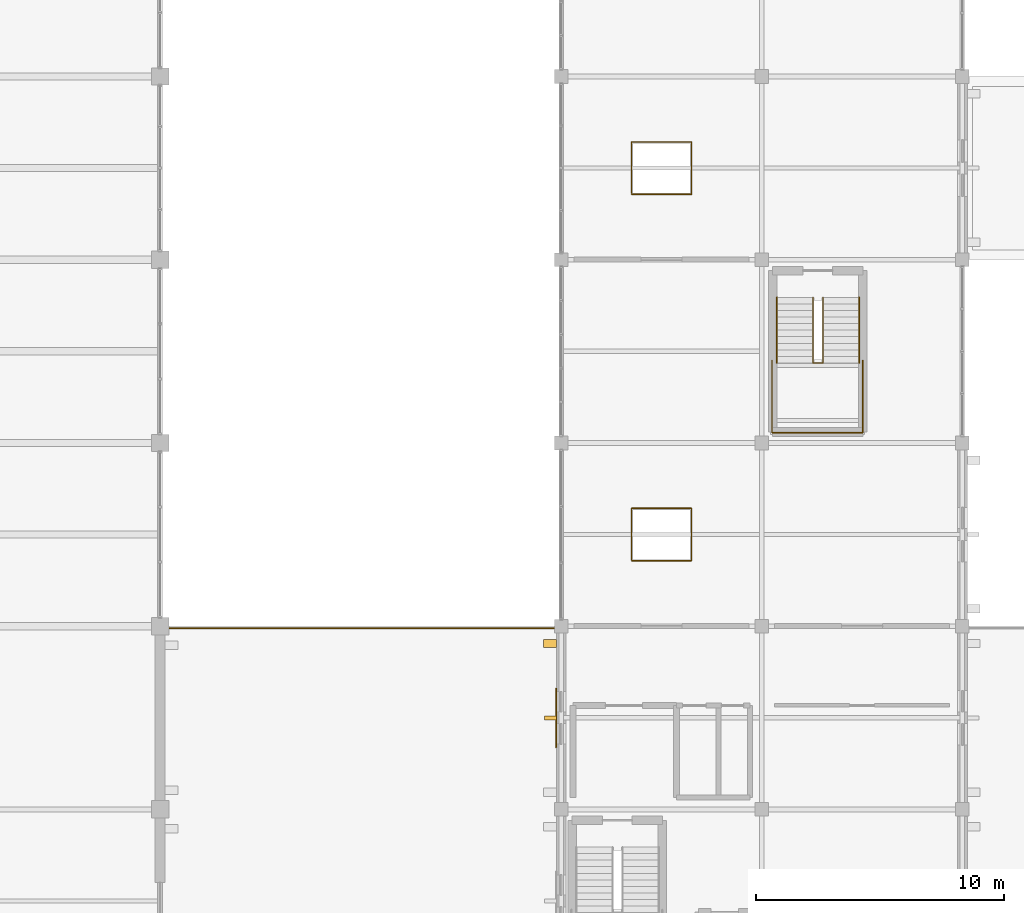
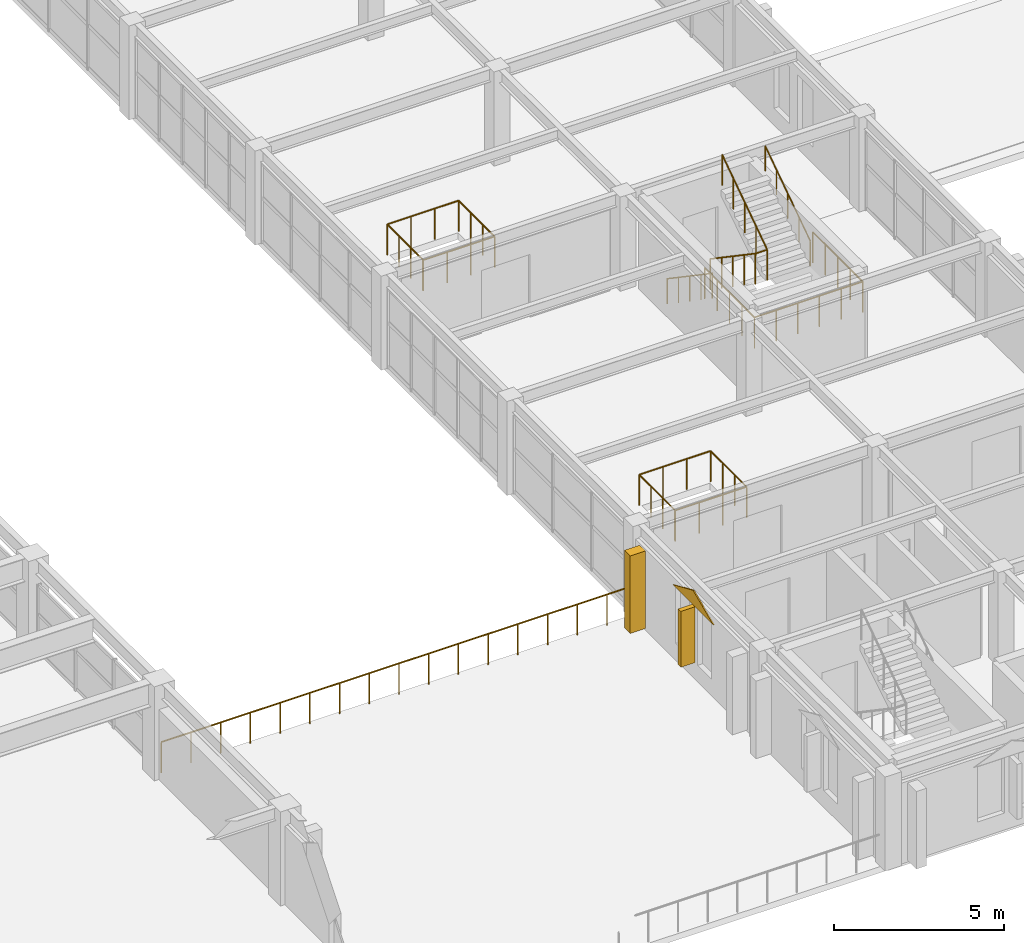
# One storey, part 115 of 121: 7 railings, 2 shading devices, 1 covering.
"""IFC4 building model written with IfcOpenShell, lengths in metres."""

from ifc_helpers import new_model, si_unit, direction, frame, origin, origin_2d, place, context, subcontext, project, spatial, polyline, rectangle, circle, outline, extrude, material, layer, layer_set, type_object, element, save


model = new_model("IFC4")

# Units and contexts
model_context = context("Model", 3, precision=1e-05, world=origin(), true_north=direction((0.0, 1.0)))
body_context = subcontext(model_context, "Body", "Model", "MODEL_VIEW")
ifc_project = project(units=[si_unit("LENGTHUNIT", "METRE"), si_unit("AREAUNIT", "SQUARE_METRE"), si_unit("VOLUMEUNIT", "CUBIC_METRE"), si_unit("PLANEANGLEUNIT", "RADIAN"), si_unit("MASSUNIT", "GRAM", prefix="KILO")], contexts=[model_context])

# Site, building, storey
site_placement = place(None, origin())
site = spatial("IfcSite", under=ifc_project, at=site_placement, CompositionType="ELEMENT")
building_placement = place(site_placement, origin())
building = spatial("IfcBuilding", under=site, at=building_placement, Name="Cimatlan Art Gallery", CompositionType="ELEMENT")
storey_placement = place(building_placement, frame((0.0, 0.0, 10.199951171875)))
storey = spatial("IfcBuildingStorey", under=building, at=storey_placement, Name="L02", CompositionType="ELEMENT", Elevation=10.199951171875)

# Covering
ifc_material_1 = material(Name="Queretaro cantera limestone ashlar hood-mould", Category="masonry")
ifc_layer = layer(ifc_material_1, 0.0419921875)
ifc_layer_set = layer_set([ifc_layer], Name="Queretaro cantera limestone ashlar hood-mould")
covering_type = type_object("IfcCoveringType", Name="COV-CLAD-CANTERA-42", PredefinedType="CLADDING", material=ifc_layer_set)
covering_placement = place(storey_placement, frame((115.221923828125, 33.800048828125, 2.630126953125), z_axis=(1.0, 0.0, 0.0), x_axis=(0.0, 1.0, 0.0)))
element("IfcCovering", 1, at=covering_placement, inside=storey, type_object=covering_type, Name="CLD-056", PredefinedType="CLADDING", context=body_context, shape_type="SweptSolid", body=[
    extrude(outline(polyline([(0.0, 0.0), (2.39990234375, 0.0), (1.199951171875, 0.52001953125), (0.0, 0.0)])), origin(), (0.0, 0.0, -1.0), 0.0419921875),
])

# Railings
ifc_material_2 = material(Name="Anodised bronze and laminated glass balustrade", Category="glass")
railing_type_1 = type_object("IfcRailingType", Name="RL-BAL-EXT-1100", PredefinedType="BALUSTRADE", material=ifc_material_2)
railing_1_placement = place(storey_placement, frame((99.239990234375, 38.6201171875, 0.0)))
element("IfcRailing", 2, at=railing_1_placement, inside=storey, type_object=railing_type_1, Name="GR-TER-11", PredefinedType="BALUSTRADE", context=body_context, shape_type="SweptSolid", body=[
    extrude(circle(Radius=0.02587890625, at=origin_2d()), frame((0.0, 0.0, 1.09423828125), z_axis=(1.0, 0.0, 0.0), x_axis=(0.0, 1.0, 0.0)), (0.0, 0.0, 1.0), 16.1201171875),
    extrude(circle(Radius=0.02099609375, at=origin_2d()), origin(), (0.0, 0.0, 1.0), 1.068115234375),
    extrude(circle(Radius=0.02099609375, at=origin_2d()), frame((1.007568359375, 0.0, 0.0)), (0.0, 0.0, 1.0), 1.068115234375),
    extrude(circle(Radius=0.02099609375, at=origin_2d()), frame((2.01513671875, 0.0, 0.0)), (0.0, 0.0, 1.0), 1.068115234375),
    extrude(circle(Radius=0.02099609375, at=origin_2d()), frame((3.0224609375, 0.0, 0.0)), (0.0, 0.0, 1.0), 1.068115234375),
    extrude(circle(Radius=0.02099609375, at=origin_2d()), frame((4.030029296875, 0.0, 0.0)), (0.0, 0.0, 1.0), 1.068115234375),
    extrude(circle(Radius=0.02099609375, at=origin_2d()), frame((5.03759765625, 0.0, 0.0)), (0.0, 0.0, 1.0), 1.068115234375),
    extrude(circle(Radius=0.02099609375, at=origin_2d()), frame((6.044921875, 0.0, 0.0)), (0.0, 0.0, 1.0), 1.068115234375),
    extrude(circle(Radius=0.02099609375, at=origin_2d()), frame((7.052490234375, 0.0, 0.0)), (0.0, 0.0, 1.0), 1.068115234375),
    extrude(circle(Radius=0.02099609375, at=origin_2d()), frame((8.06005859375, 0.0, 0.0)), (0.0, 0.0, 1.0), 1.068115234375),
    extrude(circle(Radius=0.02099609375, at=origin_2d()), frame((9.067626953125, 0.0, 0.0)), (0.0, 0.0, 1.0), 1.068115234375),
    extrude(circle(Radius=0.02099609375, at=origin_2d()), frame((10.0751953125, 0.0, 0.0)), (0.0, 0.0, 1.0), 1.068115234375),
    extrude(circle(Radius=0.02099609375, at=origin_2d()), frame((11.08251953125, 0.0, 0.0)), (0.0, 0.0, 1.0), 1.068115234375),
    extrude(circle(Radius=0.02099609375, at=origin_2d()), frame((12.090087890625, 0.0, 0.0)), (0.0, 0.0, 1.0), 1.068115234375),
    extrude(circle(Radius=0.02099609375, at=origin_2d()), frame((13.09765625, 0.0, 0.0)), (0.0, 0.0, 1.0), 1.068115234375),
    extrude(circle(Radius=0.02099609375, at=origin_2d()), frame((14.10498046875, 0.0, 0.0)), (0.0, 0.0, 1.0), 1.068115234375),
    extrude(circle(Radius=0.02099609375, at=origin_2d()), frame((15.112548828125, 0.0, 0.0)), (0.0, 0.0, 1.0), 1.068115234375),
    extrude(circle(Radius=0.02099609375, at=origin_2d()), frame((16.1201171875, 0.0, 0.0)), (0.0, 0.0, 1.0), 1.068115234375),
])
ifc_material_3 = material(Name="Painted steel and bronze interior balustrade", Category="steel")
railing_type_2 = type_object("IfcRailingType", Name="RL-BAL-INT-1120", PredefinedType="BALUSTRADE", material=ifc_material_3)
railing_2_placement = place(storey_placement, frame((123.909912109375, 49.43994140625, 1.800048828125)))
element("IfcRailing", 3, at=railing_2_placement, inside=storey, type_object=railing_type_2, Name="STR-C9-L02-LGRD", PredefinedType="BALUSTRADE", context=body_context, shape_type="SweptSolid", body=[
    extrude(circle(Radius=0.02392578125, at=origin_2d()), frame((0.0, 0.0, 1.09619140625), z_axis=(0.0, -1.0, 0.0), x_axis=(1.0, 0.0, 0.0)), (0.0, 0.0, 1.0), 2.929931640625),
    extrude(circle(Radius=0.02392578125, at=origin_2d()), frame((0.0, -2.929931640625, 1.09619140625), z_axis=(1.0, 0.0, 0.0), x_axis=(0.0, 1.0, 0.0)), (0.0, 0.0, 1.0), 3.670166015625),
    extrude(circle(Radius=0.02392578125, at=origin_2d()), frame((3.670166015625, -2.929931640625, 1.09619140625), z_axis=(0.0, 1.0, 0.0), x_axis=(-1.0, 0.0, 0.0)), (0.0, 0.0, 1.0), 2.929931640625),
    extrude(circle(Radius=0.02001953125, at=origin_2d()), origin(), (0.0, 0.0, 1.0), 1.072021484375),
    extrude(circle(Radius=0.02001953125, at=origin_2d()), frame((0.0, -0.732421875, 0.0)), (0.0, 0.0, 1.0), 1.072021484375),
    extrude(circle(Radius=0.02001953125, at=origin_2d()), frame((0.0, -1.46484375, 0.0)), (0.0, 0.0, 1.0), 1.072021484375),
    extrude(circle(Radius=0.02001953125, at=origin_2d()), frame((0.0, -2.197509765625, 0.0)), (0.0, 0.0, 1.0), 1.072021484375),
    extrude(circle(Radius=0.02001953125, at=origin_2d()), frame((0.0, -2.929931640625, 0.0)), (0.0, 0.0, 1.0), 1.072021484375),
    extrude(circle(Radius=0.02001953125, at=origin_2d()), frame((0.734130859375, -2.929931640625, 0.0)), (0.0, 0.0, 1.0), 1.072021484375),
    extrude(circle(Radius=0.02001953125, at=origin_2d()), frame((1.468017578125, -2.929931640625, 0.0)), (0.0, 0.0, 1.0), 1.072021484375),
    extrude(circle(Radius=0.02001953125, at=origin_2d()), frame((2.2021484375, -2.929931640625, 0.0)), (0.0, 0.0, 1.0), 1.072021484375),
    extrude(circle(Radius=0.02001953125, at=origin_2d()), frame((2.93603515625, -2.929931640625, 0.0)), (0.0, 0.0, 1.0), 1.072021484375),
    extrude(circle(Radius=0.02001953125, at=origin_2d()), frame((3.670166015625, -2.929931640625, 0.0)), (0.0, 0.0, 1.0), 1.072021484375),
    extrude(circle(Radius=0.02001953125, at=origin_2d()), frame((3.670166015625, -2.197509765625, 0.0)), (0.0, 0.0, 1.0), 1.072021484375),
    extrude(circle(Radius=0.02001953125, at=origin_2d()), frame((3.670166015625, -1.46484375, 0.0)), (0.0, 0.0, 1.0), 1.072021484375),
    extrude(circle(Radius=0.02001953125, at=origin_2d()), frame((3.670166015625, -0.732421875, 0.0)), (0.0, 0.0, 1.0), 1.072021484375),
    extrude(circle(Radius=0.02001953125, at=origin_2d()), frame((3.670166015625, 0.0, 0.0)), (0.0, 0.0, 1.0), 1.072021484375),
])
railing_3_placement = place(storey_placement, frame((125.570068359375, 51.97998046875, 0.0)))
element("IfcRailing", 4, at=railing_3_placement, inside=storey, type_object=railing_type_2, Name="STR-C9-L02-GRD", PredefinedType="BALUSTRADE", context=body_context, shape_type="SweptSolid", body=[
    extrude(circle(Radius=0.02392578125, at=origin_2d()), frame((0.0, 0.0, 1.09619140625), z_axis=(0.0, -0.827199981925, 0.561907634672), x_axis=(1.0, 0.0, 0.0)), (0.0, 0.0, 1.0), 3.203369140625),
    extrude(circle(Radius=0.02392578125, at=origin_2d()), frame((0.0, -2.64990234375, 2.89599609375), z_axis=(1.0, 0.0, 0.0), x_axis=(0.0, 1.0, 0.0)), (0.0, 0.0, 1.0), 0.39990234375),
    extrude(circle(Radius=0.02392578125, at=origin_2d()), frame((0.39990234375, -2.64990234375, 2.89599609375), z_axis=(0.0, 0.827199981925, 0.561907634672), x_axis=(-1.0, 0.0, 0.0)), (0.0, 0.0, 1.0), 3.203369140625),
    extrude(circle(Radius=0.02001953125, at=origin_2d()), origin(), (0.0, 0.0, 1.0), 1.072021484375),
    extrude(circle(Radius=0.02001953125, at=origin_2d()), frame((0.0, -0.66259765625, 0.449951171875)), (0.0, 0.0, 1.0), 1.072021484375),
    extrude(circle(Radius=0.02001953125, at=origin_2d()), frame((0.0, -1.324951171875, 0.89990234375)), (0.0, 0.0, 1.0), 1.072021484375),
    extrude(circle(Radius=0.02001953125, at=origin_2d()), frame((0.0, -1.9873046875, 1.35009765625)), (0.0, 0.0, 1.0), 1.072021484375),
    extrude(circle(Radius=0.02001953125, at=origin_2d()), frame((0.0, -2.64990234375, 1.800048828125)), (0.0, 0.0, 1.0), 1.072021484375),
    extrude(circle(Radius=0.02001953125, at=origin_2d()), frame((0.39990234375, -2.64990234375, 1.800048828125)), (0.0, 0.0, 1.0), 1.072021484375),
    extrude(circle(Radius=0.02001953125, at=origin_2d()), frame((0.39990234375, -1.9873046875, 2.25)), (0.0, 0.0, 1.0), 1.072021484375),
    extrude(circle(Radius=0.02001953125, at=origin_2d()), frame((0.39990234375, -1.324951171875, 2.7001953125)), (0.0, 0.0, 1.0), 1.072021484375),
    extrude(circle(Radius=0.02001953125, at=origin_2d()), frame((0.39990234375, -0.66259765625, 3.150146484375)), (0.0, 0.0, 1.0), 1.072021484375),
    extrude(circle(Radius=0.02001953125, at=origin_2d()), frame((0.39990234375, 0.0, 3.60009765625)), (0.0, 0.0, 1.0), 1.072021484375),
])
railing_4_placement = place(storey_placement, frame((118.239990234375, 41.340087890625, 0.0)))
element("IfcRailing", 5, at=railing_4_placement, inside=storey, type_object=railing_type_2, Name="GR-OCU-L02-B4S", PredefinedType="BALUSTRADE", context=body_context, shape_type="SweptSolid", body=[
    extrude(circle(Radius=0.02392578125, at=origin_2d()), frame((0.0, 0.0, 1.09619140625), z_axis=(1.0, 0.0, 0.0), x_axis=(0.0, 1.0, 0.0)), (0.0, 0.0, 1.0), 2.419921875),
    extrude(circle(Radius=0.02392578125, at=origin_2d()), frame((2.419921875, 0.0, 1.09619140625), z_axis=(0.0, 1.0, 0.0), x_axis=(-1.0, 0.0, 0.0)), (0.0, 0.0, 1.0), 2.119873046875),
    extrude(circle(Radius=0.02392578125, at=origin_2d()), frame((2.419921875, 2.119873046875, 1.09619140625), z_axis=(-1.0, 0.0, 0.0), x_axis=(0.0, -1.0, 0.0)), (0.0, 0.0, 1.0), 2.419921875),
    extrude(circle(Radius=0.02392578125, at=origin_2d()), frame((0.0, 2.119873046875, 1.09619140625), z_axis=(0.0, -1.0, 0.0), x_axis=(1.0, 0.0, 0.0)), (0.0, 0.0, 1.0), 2.080078125),
    extrude(circle(Radius=0.02001953125, at=origin_2d()), origin(), (0.0, 0.0, 1.0), 1.072021484375),
    extrude(circle(Radius=0.02001953125, at=origin_2d()), frame((0.806640625, 0.0, 0.0)), (0.0, 0.0, 1.0), 1.072021484375),
    extrude(circle(Radius=0.02001953125, at=origin_2d()), frame((1.61328125, 0.0, 0.0)), (0.0, 0.0, 1.0), 1.072021484375),
    extrude(circle(Radius=0.02001953125, at=origin_2d()), frame((2.419921875, 0.0, 0.0)), (0.0, 0.0, 1.0), 1.072021484375),
    extrude(circle(Radius=0.02001953125, at=origin_2d()), frame((2.419921875, 0.70654296875, 0.0)), (0.0, 0.0, 1.0), 1.072021484375),
    extrude(circle(Radius=0.02001953125, at=origin_2d()), frame((2.419921875, 1.413330078125, 0.0)), (0.0, 0.0, 1.0), 1.072021484375),
    extrude(circle(Radius=0.02001953125, at=origin_2d()), frame((2.419921875, 2.119873046875, 0.0)), (0.0, 0.0, 1.0), 1.072021484375),
    extrude(circle(Radius=0.02001953125, at=origin_2d()), frame((1.61328125, 2.119873046875, 0.0)), (0.0, 0.0, 1.0), 1.072021484375),
    extrude(circle(Radius=0.02001953125, at=origin_2d()), frame((0.806640625, 2.119873046875, 0.0)), (0.0, 0.0, 1.0), 1.072021484375),
    extrude(circle(Radius=0.02001953125, at=origin_2d()), frame((0.0, 2.119873046875, 0.0)), (0.0, 0.0, 1.0), 1.072021484375),
    extrude(circle(Radius=0.02001953125, at=origin_2d()), frame((0.0, 1.426513671875, 0.0)), (0.0, 0.0, 1.0), 1.072021484375),
    extrude(circle(Radius=0.02001953125, at=origin_2d()), frame((0.0, 0.733154296875, 0.0)), (0.0, 0.0, 1.0), 1.072021484375),
    extrude(circle(Radius=0.02001953125, at=origin_2d()), frame((0.0, 0.039794921875, 0.0)), (0.0, 0.0, 1.0), 1.072021484375),
])
railing_5_placement = place(storey_placement, frame((118.239990234375, 56.139892578125, 0.0)))
element("IfcRailing", 6, at=railing_5_placement, inside=storey, type_object=railing_type_2, Name="GR-OCU-L02-B4N", PredefinedType="BALUSTRADE", context=body_context, shape_type="SweptSolid", body=[
    extrude(circle(Radius=0.02392578125, at=origin_2d()), frame((0.0, 0.0, 1.09619140625), z_axis=(1.0, 0.0, 0.0), x_axis=(0.0, 1.0, 0.0)), (0.0, 0.0, 1.0), 2.419921875),
    extrude(circle(Radius=0.02392578125, at=origin_2d()), frame((2.419921875, 0.0, 1.09619140625), z_axis=(0.0, 1.0, 0.0), x_axis=(-1.0, 0.0, 0.0)), (0.0, 0.0, 1.0), 2.1201171875),
    extrude(circle(Radius=0.02392578125, at=origin_2d()), frame((2.419921875, 2.1201171875, 1.09619140625), z_axis=(-1.0, 0.0, 0.0), x_axis=(0.0, -1.0, 0.0)), (0.0, 0.0, 1.0), 2.419921875),
    extrude(circle(Radius=0.02392578125, at=origin_2d()), frame((0.0, 2.1201171875, 1.09619140625), z_axis=(0.0, -1.0, 0.0), x_axis=(1.0, 0.0, 0.0)), (0.0, 0.0, 1.0), 2.080078125),
    extrude(circle(Radius=0.02001953125, at=origin_2d()), origin(), (0.0, 0.0, 1.0), 1.072021484375),
    extrude(circle(Radius=0.02001953125, at=origin_2d()), frame((0.806640625, 0.0, 0.0)), (0.0, 0.0, 1.0), 1.072021484375),
    extrude(circle(Radius=0.02001953125, at=origin_2d()), frame((1.61328125, 0.0, 0.0)), (0.0, 0.0, 1.0), 1.072021484375),
    extrude(circle(Radius=0.02001953125, at=origin_2d()), frame((2.419921875, 0.0, 0.0)), (0.0, 0.0, 1.0), 1.072021484375),
    extrude(circle(Radius=0.02001953125, at=origin_2d()), frame((2.419921875, 0.706787109375, 0.0)), (0.0, 0.0, 1.0), 1.072021484375),
    extrude(circle(Radius=0.02001953125, at=origin_2d()), frame((2.419921875, 1.413330078125, 0.0)), (0.0, 0.0, 1.0), 1.072021484375),
    extrude(circle(Radius=0.02001953125, at=origin_2d()), frame((2.419921875, 2.1201171875, 0.0)), (0.0, 0.0, 1.0), 1.072021484375),
    extrude(circle(Radius=0.02001953125, at=origin_2d()), frame((1.61328125, 2.1201171875, 0.0)), (0.0, 0.0, 1.0), 1.072021484375),
    extrude(circle(Radius=0.02001953125, at=origin_2d()), frame((0.806640625, 2.1201171875, 0.0)), (0.0, 0.0, 1.0), 1.072021484375),
    extrude(circle(Radius=0.02001953125, at=origin_2d()), frame((0.0, 2.1201171875, 0.0)), (0.0, 0.0, 1.0), 1.072021484375),
    extrude(circle(Radius=0.02001953125, at=origin_2d()), frame((0.0, 1.4267578125, 0.0)), (0.0, 0.0, 1.0), 1.072021484375),
    extrude(circle(Radius=0.02001953125, at=origin_2d()), frame((0.0, 0.7333984375, 0.0)), (0.0, 0.0, 1.0), 1.072021484375),
    extrude(circle(Radius=0.02001953125, at=origin_2d()), frame((0.0, 0.0400390625, 0.0)), (0.0, 0.0, 1.0), 1.072021484375),
])
ifc_material_4 = material(Name="Brushed bronze stair handrail")
railing_type_3 = type_object("IfcRailingType", Name="RL-HND-INT-920", PredefinedType="HANDRAIL", material=ifc_material_4)
railing_6_placement = place(storey_placement, frame((124.110107421875, 51.97998046875, 0.0)))
element("IfcRailing", 7, at=railing_6_placement, inside=storey, type_object=railing_type_3, Name="STR-C9-L02-HR1", PredefinedType="HANDRAIL", context=body_context, shape_type="SweptSolid", body=[
    extrude(circle(Radius=0.02197265625, at=origin_2d()), frame((0.0, 0.0, 0.89794921875), z_axis=(0.0, -0.827199981925, 0.561907634672), x_axis=(1.0, 0.0, 0.0)), (0.0, 0.0, 1.0), 3.203369140625),
    extrude(circle(Radius=0.01904296875, at=origin_2d()), origin(), (0.0, 0.0, 1.0), 0.8759765625),
    extrude(circle(Radius=0.01904296875, at=origin_2d()), frame((0.0, -0.66259765625, 0.449951171875)), (0.0, 0.0, 1.0), 0.8759765625),
    extrude(circle(Radius=0.01904296875, at=origin_2d()), frame((0.0, -1.324951171875, 0.89990234375)), (0.0, 0.0, 1.0), 0.8759765625),
    extrude(circle(Radius=0.01904296875, at=origin_2d()), frame((0.0, -1.9873046875, 1.35009765625)), (0.0, 0.0, 1.0), 0.8759765625),
    extrude(circle(Radius=0.01904296875, at=origin_2d()), frame((0.0, -2.64990234375, 1.800048828125)), (0.0, 0.0, 1.0), 0.8759765625),
])
railing_7_placement = place(storey_placement, frame((127.429931640625, 49.330078125, 1.800048828125)))
element("IfcRailing", 8, at=railing_7_placement, inside=storey, type_object=railing_type_3, Name="STR-C9-L02-HR2", PredefinedType="HANDRAIL", context=body_context, shape_type="SweptSolid", body=[
    extrude(circle(Radius=0.02197265625, at=origin_2d()), frame((0.0, 0.0, 0.89794921875), z_axis=(0.0, 0.827199981925, 0.561907634672), x_axis=(-1.0, 0.0, 0.0)), (0.0, 0.0, 1.0), 3.203369140625),
    extrude(circle(Radius=0.01904296875, at=origin_2d()), origin(), (0.0, 0.0, 1.0), 0.8759765625),
    extrude(circle(Radius=0.01904296875, at=origin_2d()), frame((0.0, 0.66259765625, 0.449951171875)), (0.0, 0.0, 1.0), 0.8759765625),
    extrude(circle(Radius=0.01904296875, at=origin_2d()), frame((0.0, 1.324951171875, 0.89990234375)), (0.0, 0.0, 1.0), 0.8759765625),
    extrude(circle(Radius=0.01904296875, at=origin_2d()), frame((0.0, 1.9873046875, 1.35009765625)), (0.0, 0.0, 1.0), 0.8759765625),
    extrude(circle(Radius=0.01904296875, at=origin_2d()), frame((0.0, 2.64990234375, 1.800048828125)), (0.0, 0.0, 1.0), 0.8759765625),
])

# Shading devices
ifc_material_5 = material(Name="Queretaro cantera limestone buttress pilaster", Category="masonry")
shading_device_type_1 = type_object("IfcShadingDeviceType", Name="SHD-BUT-520", PredefinedType="USERDEFINED", material=ifc_material_5)
shading_device_1_placement = place(storey_placement, frame((114.94189453125, 38.0009765625, 0.06005859375), z_axis=(0.0, 0.0, 1.0), x_axis=(0.0, 1.0, 0.0)))
element("IfcShadingDevice", 9, at=shading_device_1_placement, inside=storey, type_object=shading_device_type_1, Name="BUT-0296", ObjectType="FIN", PredefinedType="USERDEFINED", context=body_context, shape_type="SweptSolid", body=[
    extrude(rectangle(XDim=0.340087890625, YDim=0.52001953125, at=origin_2d()), origin(), (0.0, 0.0, 1.0), 2.778076171875),
])
ifc_material_6 = material(Name="Queretaro cantera limestone lancet mullion fin", Category="masonry")
shading_device_type_2 = type_object("IfcShadingDeviceType", Name="SHD-FIN-480", PredefinedType="USERDEFINED", material=ifc_material_6)
shading_device_2_placement = place(storey_placement, frame((114.9619140625, 35.0, 0.60009765625), z_axis=(0.0, 0.0, 1.0), x_axis=(0.0, 1.0, 0.0)))
element("IfcShadingDevice", 10, at=shading_device_2_placement, inside=storey, type_object=shading_device_type_2, Name="FIN-083", ObjectType="FIN", PredefinedType="USERDEFINED", context=body_context, shape_type="SweptSolid", body=[
    extrude(rectangle(XDim=0.159912109375, YDim=0.47998046875, at=origin_2d()), origin(), (0.0, 0.0, 1.0), 2.0),
])

save(model, "model.ifc")
